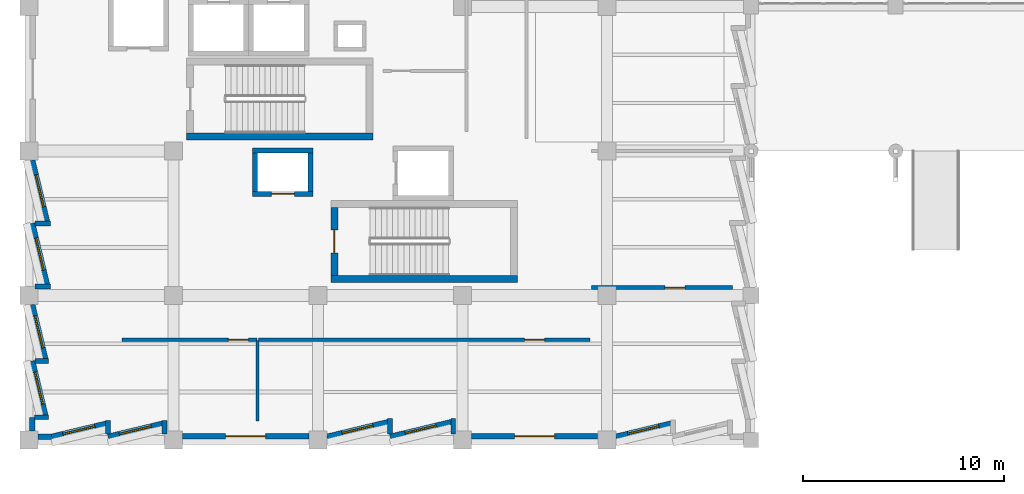
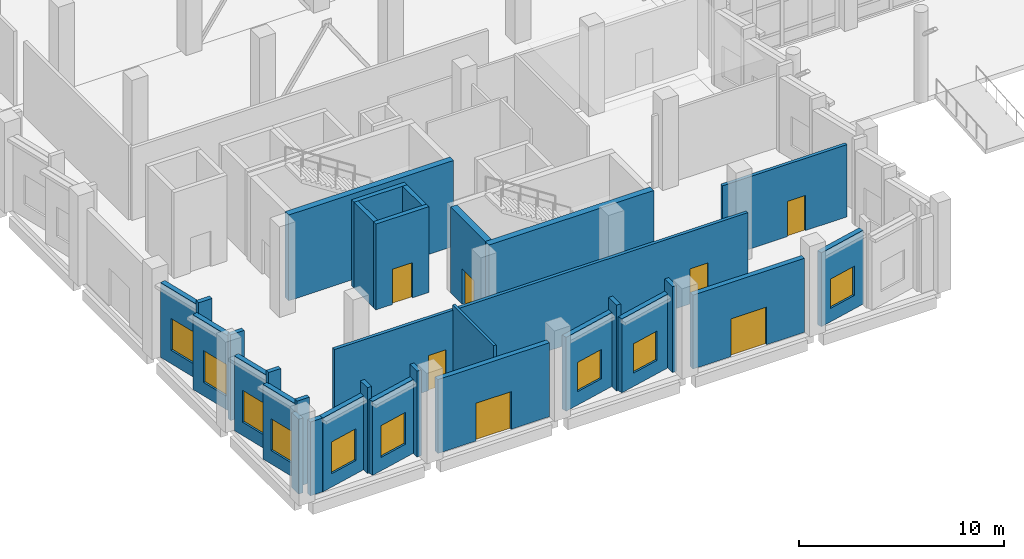
# One storey, part 102 of 137: 32 walls, 9 windows, 7 doors, 16 openings.
"""IFC4 building model written with IfcOpenShell, lengths in metres."""

from ifc_helpers import new_model, si_unit, direction, frame, frame_2d, origin, place, context, subcontext, project, spatial, rectangle, extrude, material, layer, layer_set, type_object, element, fill, save


model = new_model("IFC4")

# Units and contexts
model_context = context("Model", 3, precision=1e-05, world=origin(), true_north=direction((0.0, 1.0)))
body_context = subcontext(model_context, "Body", "Model", "MODEL_VIEW")
ifc_project = project(units=[si_unit("LENGTHUNIT", "METRE"), si_unit("AREAUNIT", "SQUARE_METRE"), si_unit("VOLUMEUNIT", "CUBIC_METRE"), si_unit("PLANEANGLEUNIT", "RADIAN"), si_unit("MASSUNIT", "GRAM", prefix="KILO")], contexts=[model_context])

# Site, building, storey
site_placement = place(None, origin())
site = spatial("IfcSite", under=ifc_project, at=site_placement, CompositionType="ELEMENT")
building_placement = place(site_placement, origin())
building = spatial("IfcBuilding", under=site, at=building_placement, Name="Kalmorath City Hall", CompositionType="ELEMENT")
storey_placement = place(building_placement, origin())
storey = spatial("IfcBuildingStorey", under=building, at=storey_placement, Name="L00", CompositionType="ELEMENT", Elevation=0.0)

# Walls
ifc_material_1 = material(Name="Concrete C50/60", Category="concrete")
ifc_layer_1 = layer(ifc_material_1, 0.35009765625)
ifc_layer_set_1 = layer_set([ifc_layer_1], Name="Concrete C50/60")
wall_type_1 = type_object("IfcWallType", Name="Concrete core shear wall 350", PredefinedType="SHEAR", material=ifc_layer_set_1)
wall_1_placement = place(storey_placement, frame((7.85009765625, 15.125, 0.0), z_axis=(0.0, 0.0, 1.0), x_axis=(1.0, 0.0, 0.0)))
element("IfcWall", 1, at=wall_1_placement, inside=storey, type_object=wall_type_1, Name="L00 C1 stair core shear wall S", PredefinedType="SHEAR", context=body_context, shape_type="SweptSolid", body=[
    extrude(rectangle(XDim=9.2998046875, YDim=0.35009765625, at=frame_2d((4.64990234375, 0.0))), origin(), (0.0, 0.0, 1.0), 5.1201171875),
])
wall_2_placement = place(storey_placement, frame((15.050048828125, 8.02490234375, 0.0), z_axis=(0.0, 0.0, 1.0), x_axis=(1.0, 0.0, 0.0)))
element("IfcWall", 2, at=wall_2_placement, inside=storey, type_object=wall_type_1, Name="L00 C2 stair core shear wall S", PredefinedType="SHEAR", context=body_context, shape_type="SweptSolid", body=[
    extrude(rectangle(XDim=9.300048828125, YDim=0.35009765625, at=frame_2d((4.64990234375, 0.0))), origin(), (0.0, 0.0, 1.0), 5.1201171875),
])

# Wall, opening, door
wall_3_placement = place(storey_placement, frame((15.22509765625, 11.60009765625, 0.0), z_axis=(0.0, 0.0, 1.0), x_axis=(0.0, -1.0, 0.0)))
wall_3 = element("IfcWall", 3, at=wall_3_placement, inside=storey, type_object=wall_type_1, Name="L00 C2 stair core shear wall W", PredefinedType="SHEAR", context=body_context, shape_type="SweptSolid", body=[
    extrude(rectangle(XDim=3.400146484375, YDim=0.35009765625, at=frame_2d((1.7001953125, 0.0))), origin(), (0.0, 0.0, 1.0), 5.1201171875),
])
opening_1_placement = place(wall_3_placement, frame((1.125, 0.0, 0.0)))
opening_1 = element("IfcOpeningElement", 4, at=opening_1_placement, cuts=wall_3, Name="Opening D-L00-038", PredefinedType="OPENING", context=body_context, shape_type="SweptSolid", body=[
    extrude(rectangle(XDim=1.14990234375, YDim=2.10009765625, at=frame_2d((0.574951171875, 1.050048828125))), frame((0.0, 0.18505859375, 0.0), z_axis=(0.0, -1.0, 0.0), x_axis=(1.0, 0.0, 0.0)), (0.0, 0.0, 1.0), 0.3701171875),
])
ifc_material_2 = material(Name="Galvanised steel fire door", Category="steel")
door_type_1 = type_object("IfcDoorType", Name="Stair enclosure 90-min fire door 1150x2100", OperationType="NOTDEFINED", PredefinedType="DOOR", material=ifc_material_2)
door_1_placement = place(opening_1_placement, frame((1.14990234375, 0.0, 0.0), z_axis=(0.0, 0.0, 1.0), x_axis=(-1.0, 0.0, 0.0)))
door_1 = element("IfcDoor", 5, at=door_1_placement, inside=storey, type_object=door_type_1, Name="L00 door D-L00-038", OperationType="SINGLE_SWING_RIGHT", OverallHeight=2.10009765625, OverallWidth=1.14990234375, PredefinedType="DOOR", context=body_context, shape_type="SweptSolid", body=[
    extrude(rectangle(XDim=1.14990234375, YDim=2.10009765625, at=frame_2d((0.574951171875, 1.050048828125))), frame((0.0, 0.02490234375, 0.0), z_axis=(0.0, -1.0, 0.0), x_axis=(1.0, 0.0, 0.0)), (0.0, 0.0, 1.0), 0.050048828125),
])
fill(opening_1, door_1)

ifc_material_3 = material(Name="Concrete C50/60", Category="concrete")
ifc_layer_2 = layer(ifc_material_3, 0.25)
ifc_layer_set_2 = layer_set([ifc_layer_2], Name="Concrete C50/60")
wall_type_2 = type_object("IfcWallType", Name="Concrete lift shaft wall 250", PredefinedType="SHEAR", material=ifc_layer_set_2)
wall_4_placement = place(storey_placement, frame((11.14990234375, 12.27490234375, 0.0), z_axis=(0.0, 0.0, 1.0), x_axis=(1.0, 0.0, 0.0)))
wall_4 = element("IfcWall", 6, at=wall_4_placement, inside=storey, type_object=wall_type_2, Name="L00 FL2 lift shaft wall -y", PredefinedType="SHEAR", context=body_context, shape_type="SweptSolid", body=[
    extrude(rectangle(XDim=3.0, YDim=0.25, at=frame_2d((1.5, 0.0))), origin(), (0.0, 0.0, 1.0), 5.1201171875),
])
opening_2_placement = place(wall_4_placement, frame((0.925048828125, 0.0, 0.0)))
opening_2 = element("IfcOpeningElement", 7, at=opening_2_placement, cuts=wall_4, Name="Opening LD-047", PredefinedType="OPENING", context=body_context, shape_type="SweptSolid", body=[
    extrude(rectangle(XDim=1.14990234375, YDim=2.10009765625, at=frame_2d((0.574951171875, 1.050048828125))), frame((0.0, 0.135009765625, 0.0), z_axis=(0.0, -1.0, 0.0), x_axis=(1.0, 0.0, 0.0)), (0.0, 0.0, 1.0), 0.27001953125),
])
ifc_material_4 = material(Name="Stainless steel sliding landing door", Category="steel")
door_type_2 = type_object("IfcDoorType", Name="Firefighting lift sliding landing door 1150x2100", OperationType="SLIDING_TO_RIGHT", PredefinedType="DOOR", material=ifc_material_4)
door_2_placement = place(opening_2_placement, origin())
door_2 = element("IfcDoor", 8, at=door_2_placement, inside=storey, type_object=door_type_2, Name="L00 door LD-047", OperationType="SLIDING_TO_RIGHT", OverallHeight=2.10009765625, OverallWidth=1.14990234375, PredefinedType="DOOR", context=body_context, shape_type="SweptSolid", body=[
    extrude(rectangle(XDim=1.14990234375, YDim=2.10009765625, at=frame_2d((0.574951171875, 1.050048828125))), frame((0.0, 0.02490234375, 0.0), z_axis=(0.0, -1.0, 0.0), x_axis=(1.0, 0.0, 0.0)), (0.0, 0.0, 1.0), 0.050048828125),
])
fill(opening_2, door_2)

# Walls
wall_5_placement = place(storey_placement, frame((14.14990234375, 14.425048828125, 0.0), z_axis=(0.0, 0.0, 1.0), x_axis=(-1.0, 0.0, 0.0)))
element("IfcWall", 9, at=wall_5_placement, inside=storey, type_object=wall_type_2, Name="L00 FL2 lift shaft wall +y", PredefinedType="SHEAR", context=body_context, shape_type="SweptSolid", body=[
    extrude(rectangle(XDim=3.0, YDim=0.25, at=frame_2d((1.5, 0.0))), origin(), (0.0, 0.0, 1.0), 5.1201171875),
])
for number, where, z_axis, x_axis, name in (
    (10, (11.27490234375, 14.300048828125, 0.0), (0.0, 0.0, 1.0), (0.0, -1.0, 0.0), "L00 FL2 lift shaft wall -x"),
    (11, (14.02490234375, 12.39990234375, 0.0), (0.0, 0.0, 1.0), (0.0, 1.0, 0.0), "L00 FL2 lift shaft wall +x"),
):
    element("IfcWall", number, at=place(storey_placement, frame(where, z_axis=z_axis, x_axis=x_axis)), inside=storey, type_object=wall_type_2, Name=name, PredefinedType="SHEAR", context=body_context, shape_type="SweptSolid", body=[
        extrude(rectangle(XDim=1.900146484375, YDim=0.25, at=frame_2d((0.9501953125, 0.0))), origin(), (0.0, 0.0, 1.0), 5.1201171875),
    ])
ifc_material_5 = material(Name="Acoustic metal-stud gypsum partition")
ifc_layer_3 = layer(ifc_material_5, 0.14990234375)
ifc_layer_set_3 = layer_set([ifc_layer_3], Name="Acoustic metal-stud gypsum partition")
wall_type_3 = type_object("IfcWallType", Name="Departmental suite partition 150", PredefinedType="PARTITIONING", material=ifc_layer_set_3)
wall_6_placement = place(storey_placement, frame((11.39990234375, 0.93994140625, 0.0), z_axis=(0.0, 0.0, 1.0), x_axis=(0.0, 1.0, 0.0)))
element("IfcWall", 12, at=wall_6_placement, inside=storey, type_object=wall_type_3, Name="L00 interior partition PW4 #47", PredefinedType="PARTITIONING", context=body_context, shape_type="SweptSolid", body=[
    extrude(rectangle(XDim=4.02001953125, YDim=0.14990234375, at=frame_2d((2.010009765625, 0.0))), origin(), (0.0, 0.0, 1.0), 4.60595703125),
])

# Wall, opening, door
ifc_material_6 = material(Name="Fire-rated acoustic gypsum partition")
ifc_layer_4 = layer(ifc_material_6, 0.179931640625)
ifc_layer_set_4 = layer_set([ifc_layer_4], Name="Fire-rated acoustic gypsum partition")
wall_type_4 = type_object("IfcWallType", Name="One-hour corridor fire partition 180", PredefinedType="PARTITIONING", material=ifc_layer_set_4)
wall_7_placement = place(storey_placement, frame((4.639892578125, 5.0, 0.0), z_axis=(0.0, 0.0, 1.0), x_axis=(1.0, 0.0, 0.0)))
wall_7 = element("IfcWall", 13, at=wall_7_placement, inside=storey, type_object=wall_type_4, Name="L00 interior partition PW2 #28", PredefinedType="PARTITIONING", context=body_context, shape_type="SweptSolid", body=[
    extrude(rectangle(XDim=6.72021484375, YDim=0.179931640625, at=frame_2d((3.360107421875, 0.0))), origin(), (0.0, 0.0, 1.0), 4.31103515625),
])
opening_3_placement = place(wall_7_placement, frame((5.300048828125, 0.0, 0.0)))
opening_3 = element("IfcOpeningElement", 14, at=opening_3_placement, cuts=wall_7, Name="Opening D-L00-122", PredefinedType="OPENING", context=body_context, shape_type="SweptSolid", body=[
    extrude(rectangle(XDim=1.0, YDim=2.10009765625, at=frame_2d((0.5, 1.050048828125))), frame((0.0, 0.099853515625, 0.0), z_axis=(0.0, -1.0, 0.0), x_axis=(1.0, 0.0, 0.0)), (0.0, 0.0, 1.0), 0.199951171875),
])
ifc_material_7 = material(Name="Hardwood fire door", Category="wood")
door_type_3 = type_object("IfcDoorType", Name="Corridor 60-min fire door 1000x2100", OperationType="NOTDEFINED", PredefinedType="DOOR", material=ifc_material_7)
door_3_placement = place(opening_3_placement, origin())
door_3 = element("IfcDoor", 15, at=door_3_placement, inside=storey, type_object=door_type_3, Name="L00 door D-L00-122", OperationType="SINGLE_SWING_RIGHT", OverallHeight=2.10009765625, OverallWidth=1.0, PredefinedType="DOOR", context=body_context, shape_type="SweptSolid", body=[
    extrude(rectangle(XDim=1.0, YDim=2.10009765625, at=frame_2d((0.5, 1.050048828125))), frame((0.0, 0.02490234375, 0.0), z_axis=(0.0, -1.0, 0.0), x_axis=(1.0, 0.0, 0.0)), (0.0, 0.0, 1.0), 0.050048828125),
])
fill(opening_3, door_3)

wall_8_placement = place(storey_placement, frame((11.43994140625, 5.0, 0.0), z_axis=(0.0, 0.0, 1.0), x_axis=(1.0, 0.0, 0.0)))
wall_8 = element("IfcWall", 16, at=wall_8_placement, inside=storey, type_object=wall_type_4, Name="L00 interior partition PW2 #29", PredefinedType="PARTITIONING", context=body_context, shape_type="SweptSolid", body=[
    extrude(rectangle(XDim=16.52001953125, YDim=0.179931640625, at=frame_2d((8.260009765625, 0.0))), origin(), (0.0, 0.0, 1.0), 4.31103515625),
])
opening_4_placement = place(wall_8_placement, frame((13.264892578125, 0.0, 0.0)))
opening_4 = element("IfcOpeningElement", 17, at=opening_4_placement, cuts=wall_8, Name="Opening D-L00-123", PredefinedType="OPENING", context=body_context, shape_type="SweptSolid", body=[
    extrude(rectangle(XDim=1.0, YDim=2.10009765625, at=frame_2d((0.5, 1.050048828125))), frame((0.0, 0.099853515625, 0.0), z_axis=(0.0, -1.0, 0.0), x_axis=(1.0, 0.0, 0.0)), (0.0, 0.0, 1.0), 0.199951171875),
])
door_4_placement = place(opening_4_placement, origin())
door_4 = element("IfcDoor", 18, at=door_4_placement, inside=storey, type_object=door_type_3, Name="L00 door D-L00-123", OperationType="SINGLE_SWING_LEFT", OverallHeight=2.10009765625, OverallWidth=1.0, PredefinedType="DOOR", context=body_context, shape_type="SweptSolid", body=[
    extrude(rectangle(XDim=1.0, YDim=2.10009765625, at=frame_2d((0.5, 1.050048828125))), frame((0.0, 0.02490234375, 0.0), z_axis=(0.0, -1.0, 0.0), x_axis=(1.0, 0.0, 0.0)), (0.0, 0.0, 1.0), 0.050048828125),
])
fill(opening_4, door_4)

wall_9_placement = place(storey_placement, frame((28.0400390625, 7.60009765625, 0.0), z_axis=(0.0, 0.0, 1.0), x_axis=(1.0, 0.0, 0.0)))
wall_9 = element("IfcWall", 19, at=wall_9_placement, inside=storey, type_object=wall_type_4, Name="L00 interior partition PW2 #30", PredefinedType="PARTITIONING", context=body_context, shape_type="SweptSolid", body=[
    extrude(rectangle(XDim=7.02001953125, YDim=0.179931640625, at=frame_2d((3.510009765625, 0.0))), origin(), (0.0, 0.0, 1.0), 4.31103515625),
])
opening_5_placement = place(wall_9_placement, frame((3.657470703125, 0.0, 0.0)))
opening_5 = element("IfcOpeningElement", 20, at=opening_5_placement, cuts=wall_9, Name="Opening D-L00-124", PredefinedType="OPENING", context=body_context, shape_type="SweptSolid", body=[
    extrude(rectangle(XDim=1.0, YDim=2.10009765625, at=frame_2d((0.5, 1.050048828125))), frame((0.0, 0.099853515625, 0.0), z_axis=(0.0, -1.0, 0.0), x_axis=(1.0, 0.0, 0.0)), (0.0, 0.0, 1.0), 0.199951171875),
])
door_5_placement = place(opening_5_placement, origin())
door_5 = element("IfcDoor", 21, at=door_5_placement, inside=storey, type_object=door_type_3, Name="L00 door D-L00-124", OperationType="SINGLE_SWING_RIGHT", OverallHeight=2.10009765625, OverallWidth=1.0, PredefinedType="DOOR", context=body_context, shape_type="SweptSolid", body=[
    extrude(rectangle(XDim=1.0, YDim=2.10009765625, at=frame_2d((0.5, 1.050048828125))), frame((0.0, 0.02490234375, 0.0), z_axis=(0.0, -1.0, 0.0), x_axis=(1.0, 0.0, 0.0)), (0.0, 0.0, 1.0), 0.050048828125),
])
fill(opening_5, door_5)

# Walls
ifc_material_8 = material(Name="Precast concrete C40/50", Category="concrete")
ifc_layer_5 = layer(ifc_material_8, 0.239990234375)
ifc_layer_set_5 = layer_set([ifc_layer_5], Name="Precast concrete C40/50")
wall_type_5 = type_object("IfcWallType", Name="Precast sawtooth cheek wall 240", PredefinedType="SOLIDWALL", material=ifc_layer_set_5)
wall_10_placement = place(storey_placement, frame((0.9794921875, 1.131103515625, 0.0), z_axis=(0.0, 0.0, 1.0), x_axis=(-1.0, 0.0, 0.0)))
element("IfcWall", 22, at=wall_10_placement, inside=storey, type_object=wall_type_5, Name="L00 sawtooth return cheek #3", PredefinedType="SOLIDWALL", context=body_context, shape_type="SweptSolid", body=[
    extrude(rectangle(XDim=0.697509765625, YDim=0.239990234375, at=frame_2d((0.3486328125, 0.0))), origin(), (0.0, 0.0, 1.0), 5.1201171875),
])
wall_11_placement = place(storey_placement, frame((0.9794921875, 3.93994140625, 0.0), z_axis=(0.0, 0.0, 1.0), x_axis=(-1.0, 0.0, 0.0)))
element("IfcWall", 23, at=wall_11_placement, inside=storey, type_object=wall_type_5, Name="L00 sawtooth return cheek #5", PredefinedType="SOLIDWALL", context=body_context, shape_type="SweptSolid", body=[
    extrude(rectangle(XDim=0.6875, YDim=0.239990234375, at=frame_2d((0.34375, 0.0))), origin(), (0.0, 0.0, 1.0), 5.1201171875),
])
for number, where, z_axis, x_axis, name in (
    (24, (1.06103515625, 7.65087890625, 0.0), (0.0, 0.0, 1.0), (-1.0, 0.0, 0.0), "L00 sawtooth return cheek #7"),
    (25, (1.06103515625, 10.800048828125, 0.0), (0.0, 0.0, 1.0), (-1.0, 0.0, 0.0), "L00 sawtooth return cheek #9"),
    (26, (21.14892578125, 1.06103515625, 0.0), (0.0, 0.0, 1.0), (0.0, -1.0, 0.0), "L00 sawtooth return cheek #126"),
    (27, (18.0, 1.06103515625, 0.0), (0.0, 0.0, 1.0), (0.0, -1.0, 0.0), "L00 sawtooth return cheek #128"),
):
    element("IfcWall", number, at=place(storey_placement, frame(where, z_axis=z_axis, x_axis=x_axis)), inside=storey, type_object=wall_type_5, Name=name, PredefinedType="SOLIDWALL", context=body_context, shape_type="SweptSolid", body=[
        extrude(rectangle(XDim=0.76904296875, YDim=0.239990234375, at=frame_2d((0.384521484375, 0.0))), origin(), (0.0, 0.0, 1.0), 5.1201171875),
    ])
for number, where, z_axis, x_axis, name in (
    (28, (6.7490234375, 0.9794921875, 0.0), (0.0, 0.0, 1.0), (0.0, -1.0, 0.0), "L00 sawtooth return cheek #132"),
    (29, (3.93994140625, 0.9794921875, 0.0), (0.0, 0.0, 1.0), (0.0, -1.0, 0.0), "L00 sawtooth return cheek #134"),
):
    element("IfcWall", number, at=place(storey_placement, frame(where, z_axis=z_axis, x_axis=x_axis)), inside=storey, type_object=wall_type_5, Name=name, PredefinedType="SOLIDWALL", context=body_context, shape_type="SweptSolid", body=[
        extrude(rectangle(XDim=0.6875, YDim=0.239990234375, at=frame_2d((0.34375, 0.0))), origin(), (0.0, 0.0, 1.0), 5.1201171875),
    ])

# Wall, opening, window
ifc_material_9 = material(Name="Precast concrete C40/50", Category="concrete")
ifc_layer_6 = layer(ifc_material_9, 0.280029296875)
ifc_layer_set_6 = layer_set([ifc_layer_6], Name="Precast concrete C40/50")
wall_type_6 = type_object("IfcWallType", Name="Precast sawtooth facade wall 280", PredefinedType="SOLIDWALL", material=ifc_layer_set_6)
wall_12_placement = place(storey_placement, frame((0.812255859375, 1.223388671875, 0.0), z_axis=(0.0, 0.0, 1.0), x_axis=(-0.233498544812, 0.972357151242, 0.0)))
wall_12 = element("IfcWall", 30, at=wall_12_placement, inside=storey, type_object=wall_type_6, Name="L00 sawtooth precast frame #2", PredefinedType="SOLIDWALL", context=body_context, shape_type="SweptSolid", body=[
    extrude(rectangle(XDim=2.793701171875, YDim=0.280029296875, at=frame_2d((1.39697265625, 0.0))), origin(), (0.0, 0.0, 1.0), 4.4609375),
])
opening_6_placement = place(wall_12_placement, frame((0.572021484375, 0.0, 0.800048828125)))
opening_6 = element("IfcOpeningElement", 31, at=opening_6_placement, cuts=wall_12, Name="Opening WN2", PredefinedType="OPENING", context=body_context, shape_type="SweptSolid", body=[
    extrude(rectangle(XDim=1.64990234375, YDim=1.89990234375, at=frame_2d((0.824951171875, 0.949951171875))), frame((0.0, 0.14990234375, 0.0), z_axis=(0.0, -1.0, 0.0), x_axis=(1.0, 0.0, 0.0)), (0.0, 0.0, 1.0), 0.300048828125),
])
ifc_material_10 = material(Name="Aluminium and laminated glass", Category="aluminium")
window_type_1 = type_object("IfcWindowType", Name="Sawtooth hurricane window 1650x1900", PartitioningType="SINGLE_PANEL", PredefinedType="WINDOW", material=ifc_material_10)
window_1_placement = place(opening_6_placement, origin())
window_1 = element("IfcWindow", 32, at=window_1_placement, inside=storey, type_object=window_type_1, Name="L00 window WN2-1", OverallHeight=1.89990234375, OverallWidth=1.64990234375, PartitioningType="SINGLE_PANEL", PredefinedType="WINDOW", context=body_context, shape_type="SweptSolid", body=[
    extrude(rectangle(XDim=1.64990234375, YDim=1.89990234375, at=frame_2d((0.824951171875, 0.949951171875))), frame((0.0, 0.030029296875, 0.0), z_axis=(0.0, -1.0, 0.0), x_axis=(1.0, 0.0, 0.0)), (0.0, 0.0, 1.0), 0.06005859375),
])
fill(opening_6, window_1)

wall_13_placement = place(storey_placement, frame((0.812255859375, 4.032470703125, 0.0), z_axis=(0.0, 0.0, 1.0), x_axis=(-0.233498544812, 0.972357151242, 0.0)))
wall_13 = element("IfcWall", 33, at=wall_13_placement, inside=storey, type_object=wall_type_6, Name="L00 sawtooth precast frame #4", PredefinedType="SOLIDWALL", context=body_context, shape_type="SweptSolid", body=[
    extrude(rectangle(XDim=2.793701171875, YDim=0.280029296875, at=frame_2d((1.39697265625, 0.0))), origin(), (0.0, 0.0, 1.0), 4.4609375),
])
opening_7_placement = place(wall_13_placement, frame((0.572021484375, 0.0, 0.800048828125)))
opening_7 = element("IfcOpeningElement", 34, at=opening_7_placement, cuts=wall_13, Name="Opening WN2", PredefinedType="OPENING", context=body_context, shape_type="SweptSolid", body=[
    extrude(rectangle(XDim=1.64990234375, YDim=1.89990234375, at=frame_2d((0.824951171875, 0.949951171875))), frame((0.0, 0.14990234375, 0.0), z_axis=(0.0, -1.0, 0.0), x_axis=(1.0, 0.0, 0.0)), (0.0, 0.0, 1.0), 0.300048828125),
])
window_2_placement = place(opening_7_placement, origin())
window_2 = element("IfcWindow", 35, at=window_2_placement, inside=storey, type_object=window_type_1, Name="L00 window WN2-2", OverallHeight=1.89990234375, OverallWidth=1.64990234375, PartitioningType="SINGLE_PANEL", PredefinedType="WINDOW", context=body_context, shape_type="SweptSolid", body=[
    extrude(rectangle(XDim=1.64990234375, YDim=1.89990234375, at=frame_2d((0.824951171875, 0.949951171875))), frame((0.0, 0.030029296875, 0.0), z_axis=(0.0, -1.0, 0.0), x_axis=(1.0, 0.0, 0.0)), (0.0, 0.0, 1.0), 0.06005859375),
])
fill(opening_7, window_2)

wall_14_placement = place(storey_placement, frame((0.893798828125, 7.743408203125, 0.0), z_axis=(0.0, 0.0, 1.0), x_axis=(-0.233461073712, 0.972366148661, 0.0)))
wall_14 = element("IfcWall", 36, at=wall_14_placement, inside=storey, type_object=wall_type_6, Name="L00 sawtooth precast frame #6", PredefinedType="SOLIDWALL", context=body_context, shape_type="SweptSolid", body=[
    extrude(rectangle(XDim=3.1435546875, YDim=0.280029296875, at=frame_2d((1.57177734375, 0.0))), origin(), (0.0, 0.0, 1.0), 4.4609375),
])
opening_8_placement = place(wall_14_placement, frame((0.74658203125, 0.0, 0.800048828125)))
opening_8 = element("IfcOpeningElement", 37, at=opening_8_placement, cuts=wall_14, Name="Opening WN2", PredefinedType="OPENING", context=body_context, shape_type="SweptSolid", body=[
    extrude(rectangle(XDim=1.64990234375, YDim=1.89990234375, at=frame_2d((0.824951171875, 0.949951171875))), frame((0.0, 0.14990234375, 0.0), z_axis=(0.0, -1.0, 0.0), x_axis=(1.0, 0.0, 0.0)), (0.0, 0.0, 1.0), 0.300048828125),
])
window_3_placement = place(opening_8_placement, origin())
window_3 = element("IfcWindow", 38, at=window_3_placement, inside=storey, type_object=window_type_1, Name="L00 window WN2-3", OverallHeight=1.89990234375, OverallWidth=1.64990234375, PartitioningType="SINGLE_PANEL", PredefinedType="WINDOW", context=body_context, shape_type="SweptSolid", body=[
    extrude(rectangle(XDim=1.64990234375, YDim=1.89990234375, at=frame_2d((0.824951171875, 0.949951171875))), frame((0.0, 0.030029296875, 0.0), z_axis=(0.0, -1.0, 0.0), x_axis=(1.0, 0.0, 0.0)), (0.0, 0.0, 1.0), 0.06005859375),
])
fill(opening_8, window_3)

wall_15_placement = place(storey_placement, frame((0.893798828125, 10.892333984375, 0.0), z_axis=(0.0, 0.0, 1.0), x_axis=(-0.233461073712, 0.972366148661, 0.0)))
wall_15 = element("IfcWall", 39, at=wall_15_placement, inside=storey, type_object=wall_type_6, Name="L00 sawtooth precast frame #8", PredefinedType="SOLIDWALL", context=body_context, shape_type="SweptSolid", body=[
    extrude(rectangle(XDim=3.1435546875, YDim=0.280029296875, at=frame_2d((1.57177734375, 0.0))), origin(), (0.0, 0.0, 1.0), 4.4609375),
])
opening_9_placement = place(wall_15_placement, frame((0.74658203125, 0.0, 0.800048828125)))
opening_9 = element("IfcOpeningElement", 40, at=opening_9_placement, cuts=wall_15, Name="Opening WN2", PredefinedType="OPENING", context=body_context, shape_type="SweptSolid", body=[
    extrude(rectangle(XDim=1.64990234375, YDim=1.89990234375, at=frame_2d((0.824951171875, 0.949951171875))), frame((0.0, 0.14990234375, 0.0), z_axis=(0.0, -1.0, 0.0), x_axis=(1.0, 0.0, 0.0)), (0.0, 0.0, 1.0), 0.300048828125),
])
window_4_placement = place(opening_9_placement, origin())
window_4 = element("IfcWindow", 41, at=window_4_placement, inside=storey, type_object=window_type_1, Name="L00 window WN2-4", OverallHeight=1.89990234375, OverallWidth=1.64990234375, PartitioningType="SINGLE_PANEL", PredefinedType="WINDOW", context=body_context, shape_type="SweptSolid", body=[
    extrude(rectangle(XDim=1.64990234375, YDim=1.89990234375, at=frame_2d((0.824951171875, 0.949951171875))), frame((0.0, 0.030029296875, 0.0), z_axis=(0.0, -1.0, 0.0), x_axis=(1.0, 0.0, 0.0)), (0.0, 0.0, 1.0), 0.06005859375),
])
fill(opening_9, window_4)

wall_16_placement = place(storey_placement, frame((32.005126953125, 0.8212890625, 0.0), z_axis=(0.0, 0.0, 1.0), x_axis=(-0.972356780139, -0.233500090187, 0.0)))
wall_16 = element("IfcWall", 42, at=wall_16_placement, inside=storey, type_object=wall_type_6, Name="L00 sawtooth precast frame #122", PredefinedType="SOLIDWALL", context=body_context, shape_type="SweptSolid", body=[
    extrude(rectangle(XDim=2.83251953125, YDim=0.280029296875, at=frame_2d((1.416259765625, 0.0))), origin(), (0.0, 0.0, 1.0), 4.410888671875),
])
opening_10_placement = place(wall_16_placement, frame((0.6162109375, 0.0, 0.800048828125)))
opening_10 = element("IfcOpeningElement", 43, at=opening_10_placement, cuts=wall_16, Name="Opening WN3", PredefinedType="OPENING", context=body_context, shape_type="SweptSolid", body=[
    extrude(rectangle(XDim=1.60009765625, YDim=1.75, at=frame_2d((0.800048828125, 0.875))), frame((0.0, 0.14990234375, 0.0), z_axis=(0.0, -1.0, 0.0), x_axis=(1.0, 0.0, 0.0)), (0.0, 0.0, 1.0), 0.300048828125),
])
ifc_material_11 = material(Name="Aluminium and laminated glass", Category="aluminium")
window_type_2 = type_object("IfcWindowType", Name="Sawtooth upper window 1600x1750", PartitioningType="SINGLE_PANEL", PredefinedType="WINDOW", material=ifc_material_11)
window_5_placement = place(opening_10_placement, origin())
window_5 = element("IfcWindow", 44, at=window_5_placement, inside=storey, type_object=window_type_2, Name="L00 window WN3-56", OverallHeight=1.75, OverallWidth=1.60009765625, PartitioningType="SINGLE_PANEL", PredefinedType="WINDOW", context=body_context, shape_type="SweptSolid", body=[
    extrude(rectangle(XDim=1.60009765625, YDim=1.75, at=frame_2d((0.800048828125, 0.875))), frame((0.0, 0.030029296875, 0.0), z_axis=(0.0, -1.0, 0.0), x_axis=(1.0, 0.0, 0.0)), (0.0, 0.0, 1.0), 0.06005859375),
])
fill(opening_10, window_5)

# Wall, opening, door
wall_17_placement = place(storey_placement, frame((28.34912109375, 0.179931640625, 0.0), z_axis=(0.0, 0.0, 1.0), x_axis=(-1.0, 0.0, 0.0)))
wall_17 = element("IfcWall", 45, at=wall_17_placement, inside=storey, type_object=wall_type_6, Name="L00 entrance portal wall #124", PredefinedType="SOLIDWALL", context=body_context, shape_type="SweptSolid", body=[
    extrude(rectangle(XDim=6.298095703125, YDim=0.280029296875, at=frame_2d((3.14892578125, 0.0))), origin(), (0.0, 0.0, 1.0), 4.410888671875),
])
opening_11_placement = place(wall_17_placement, frame((2.14892578125, 0.0, 0.0)))
opening_11 = element("IfcOpeningElement", 46, at=opening_11_placement, cuts=wall_17, Name="Opening D-E019", PredefinedType="OPENING", context=body_context, shape_type="SweptSolid", body=[
    extrude(rectangle(XDim=2.0, YDim=2.25, at=frame_2d((1.0, 1.125))), frame((0.0, 0.14990234375, 0.0), z_axis=(0.0, -1.0, 0.0), x_axis=(1.0, 0.0, 0.0)), (0.0, 0.0, 1.0), 0.300048828125),
])
ifc_material_12 = material(Name="Galvanised steel and impact glass", Category="steel")
door_type_4 = type_object("IfcDoorType", Name="Hurricane exit discharge double door 2000x2250", OperationType="DOUBLE_DOOR_SINGLE_SWING", PredefinedType="DOOR", material=ifc_material_12)
door_6_placement = place(opening_11_placement, origin())
door_6 = element("IfcDoor", 47, at=door_6_placement, inside=storey, type_object=door_type_4, Name="L00 exterior door D-E019", OperationType="DOUBLE_DOOR_SINGLE_SWING", OverallHeight=2.25, OverallWidth=2.0, PredefinedType="DOOR", context=body_context, shape_type="SweptSolid", body=[
    extrude(rectangle(XDim=2.0, YDim=2.25, at=frame_2d((1.0, 1.125))), frame((0.0, 0.02490234375, 0.0), z_axis=(0.0, -1.0, 0.0), x_axis=(1.0, 0.0, 0.0)), (0.0, 0.0, 1.0), 0.050048828125),
])
fill(opening_11, door_6)

# Wall, opening, window
wall_18_placement = place(storey_placement, frame((21.056640625, 0.893798828125, 0.0), z_axis=(0.0, 0.0, 1.0), x_axis=(-0.972366148661, -0.233461073712, 0.0)))
wall_18 = element("IfcWall", 48, at=wall_18_placement, inside=storey, type_object=wall_type_6, Name="L00 sawtooth precast frame #125", PredefinedType="SOLIDWALL", context=body_context, shape_type="SweptSolid", body=[
    extrude(rectangle(XDim=3.1435546875, YDim=0.280029296875, at=frame_2d((1.57177734375, 0.0))), origin(), (0.0, 0.0, 1.0), 4.410888671875),
])
opening_12_placement = place(wall_18_placement, frame((0.771728515625, 0.0, 0.800048828125)))
opening_12 = element("IfcOpeningElement", 49, at=opening_12_placement, cuts=wall_18, Name="Opening WN3", PredefinedType="OPENING", context=body_context, shape_type="SweptSolid", body=[
    extrude(rectangle(XDim=1.60009765625, YDim=1.75, at=frame_2d((0.800048828125, 0.875))), frame((0.0, 0.14990234375, 0.0), z_axis=(0.0, -1.0, 0.0), x_axis=(1.0, 0.0, 0.0)), (0.0, 0.0, 1.0), 0.300048828125),
])
window_6_placement = place(opening_12_placement, origin())
window_6 = element("IfcWindow", 50, at=window_6_placement, inside=storey, type_object=window_type_2, Name="L00 window WN3-57", OverallHeight=1.75, OverallWidth=1.60009765625, PartitioningType="SINGLE_PANEL", PredefinedType="WINDOW", context=body_context, shape_type="SweptSolid", body=[
    extrude(rectangle(XDim=1.60009765625, YDim=1.75, at=frame_2d((0.800048828125, 0.875))), frame((0.0, 0.030029296875, 0.0), z_axis=(0.0, -1.0, 0.0), x_axis=(1.0, 0.0, 0.0)), (0.0, 0.0, 1.0), 0.06005859375),
])
fill(opening_12, window_6)

wall_19_placement = place(storey_placement, frame((17.90771484375, 0.893798828125, 0.0), z_axis=(0.0, 0.0, 1.0), x_axis=(-0.972366148661, -0.233461073712, 0.0)))
wall_19 = element("IfcWall", 51, at=wall_19_placement, inside=storey, type_object=wall_type_6, Name="L00 sawtooth precast frame #127", PredefinedType="SOLIDWALL", context=body_context, shape_type="SweptSolid", body=[
    extrude(rectangle(XDim=3.1435546875, YDim=0.280029296875, at=frame_2d((1.57177734375, 0.0))), origin(), (0.0, 0.0, 1.0), 4.410888671875),
])
opening_13_placement = place(wall_19_placement, frame((0.771728515625, 0.0, 0.800048828125)))
opening_13 = element("IfcOpeningElement", 52, at=opening_13_placement, cuts=wall_19, Name="Opening WN3", PredefinedType="OPENING", context=body_context, shape_type="SweptSolid", body=[
    extrude(rectangle(XDim=1.60009765625, YDim=1.75, at=frame_2d((0.800048828125, 0.875))), frame((0.0, 0.14990234375, 0.0), z_axis=(0.0, -1.0, 0.0), x_axis=(1.0, 0.0, 0.0)), (0.0, 0.0, 1.0), 0.300048828125),
])
window_7_placement = place(opening_13_placement, origin())
window_7 = element("IfcWindow", 53, at=window_7_placement, inside=storey, type_object=window_type_2, Name="L00 window WN3-58", OverallHeight=1.75, OverallWidth=1.60009765625, PartitioningType="SINGLE_PANEL", PredefinedType="WINDOW", context=body_context, shape_type="SweptSolid", body=[
    extrude(rectangle(XDim=1.60009765625, YDim=1.75, at=frame_2d((0.800048828125, 0.875))), frame((0.0, 0.030029296875, 0.0), z_axis=(0.0, -1.0, 0.0), x_axis=(1.0, 0.0, 0.0)), (0.0, 0.0, 1.0), 0.06005859375),
])
fill(opening_13, window_7)

# Wall, opening, door
wall_20_placement = place(storey_placement, frame((13.948974609375, 0.179931640625, 0.0), z_axis=(0.0, 0.0, 1.0), x_axis=(-1.0, 0.0, 0.0)))
wall_20 = element("IfcWall", 54, at=wall_20_placement, inside=storey, type_object=wall_type_6, Name="L00 entrance portal wall #129", PredefinedType="SOLIDWALL", context=body_context, shape_type="SweptSolid", body=[
    extrude(rectangle(XDim=6.298095703125, YDim=0.280029296875, at=frame_2d((3.14892578125, 0.0))), origin(), (0.0, 0.0, 1.0), 4.410888671875),
])
opening_14_placement = place(wall_20_placement, frame((2.14892578125, 0.0, 0.0)))
opening_14 = element("IfcOpeningElement", 55, at=opening_14_placement, cuts=wall_20, Name="Opening D-E020", PredefinedType="OPENING", context=body_context, shape_type="SweptSolid", body=[
    extrude(rectangle(XDim=2.0, YDim=2.25, at=frame_2d((1.0, 1.125))), frame((0.0, 0.14990234375, 0.0), z_axis=(0.0, -1.0, 0.0), x_axis=(1.0, 0.0, 0.0)), (0.0, 0.0, 1.0), 0.300048828125),
])
door_7_placement = place(opening_14_placement, origin())
door_7 = element("IfcDoor", 56, at=door_7_placement, inside=storey, type_object=door_type_4, Name="L00 exterior door D-E020", OperationType="DOUBLE_DOOR_SINGLE_SWING", OverallHeight=2.25, OverallWidth=2.0, PredefinedType="DOOR", context=body_context, shape_type="SweptSolid", body=[
    extrude(rectangle(XDim=2.0, YDim=2.25, at=frame_2d((1.0, 1.125))), frame((0.0, 0.02490234375, 0.0), z_axis=(0.0, -1.0, 0.0), x_axis=(1.0, 0.0, 0.0)), (0.0, 0.0, 1.0), 0.050048828125),
])
fill(opening_14, door_7)

# Wall, opening, window
wall_21_placement = place(storey_placement, frame((6.656494140625, 0.812255859375, 0.0), z_axis=(0.0, 0.0, 1.0), x_axis=(-0.972357151242, -0.233498544812, 0.0)))
wall_21 = element("IfcWall", 57, at=wall_21_placement, inside=storey, type_object=wall_type_6, Name="L00 sawtooth precast frame #131", PredefinedType="SOLIDWALL", context=body_context, shape_type="SweptSolid", body=[
    extrude(rectangle(XDim=2.793701171875, YDim=0.280029296875, at=frame_2d((1.39697265625, 0.0))), origin(), (0.0, 0.0, 1.0), 4.410888671875),
])
opening_15_placement = place(wall_21_placement, frame((0.572021484375, 0.0, 0.800048828125)))
opening_15 = element("IfcOpeningElement", 58, at=opening_15_placement, cuts=wall_21, Name="Opening WN2", PredefinedType="OPENING", context=body_context, shape_type="SweptSolid", body=[
    extrude(rectangle(XDim=1.64990234375, YDim=1.89990234375, at=frame_2d((0.824951171875, 0.949951171875))), frame((0.0, 0.14990234375, 0.0), z_axis=(0.0, -1.0, 0.0), x_axis=(1.0, 0.0, 0.0)), (0.0, 0.0, 1.0), 0.300048828125),
])
window_8_placement = place(opening_15_placement, origin())
window_8 = element("IfcWindow", 59, at=window_8_placement, inside=storey, type_object=window_type_1, Name="L00 window WN2-59", OverallHeight=1.89990234375, OverallWidth=1.64990234375, PartitioningType="SINGLE_PANEL", PredefinedType="WINDOW", context=body_context, shape_type="SweptSolid", body=[
    extrude(rectangle(XDim=1.64990234375, YDim=1.89990234375, at=frame_2d((0.824951171875, 0.949951171875))), frame((0.0, 0.030029296875, 0.0), z_axis=(0.0, -1.0, 0.0), x_axis=(1.0, 0.0, 0.0)), (0.0, 0.0, 1.0), 0.06005859375),
])
fill(opening_15, window_8)

wall_22_placement = place(storey_placement, frame((3.84765625, 0.812255859375, 0.0), z_axis=(0.0, 0.0, 1.0), x_axis=(-0.972357151242, -0.233498544812, 0.0)))
wall_22 = element("IfcWall", 60, at=wall_22_placement, inside=storey, type_object=wall_type_6, Name="L00 sawtooth precast frame #133", PredefinedType="SOLIDWALL", context=body_context, shape_type="SweptSolid", body=[
    extrude(rectangle(XDim=2.793701171875, YDim=0.280029296875, at=frame_2d((1.39697265625, 0.0))), origin(), (0.0, 0.0, 1.0), 4.410888671875),
])
opening_16_placement = place(wall_22_placement, frame((0.572021484375, 0.0, 0.800048828125)))
opening_16 = element("IfcOpeningElement", 61, at=opening_16_placement, cuts=wall_22, Name="Opening WN2", PredefinedType="OPENING", context=body_context, shape_type="SweptSolid", body=[
    extrude(rectangle(XDim=1.64990234375, YDim=1.89990234375, at=frame_2d((0.824951171875, 0.949951171875))), frame((0.0, 0.14990234375, 0.0), z_axis=(0.0, -1.0, 0.0), x_axis=(1.0, 0.0, 0.0)), (0.0, 0.0, 1.0), 0.300048828125),
])
window_9_placement = place(opening_16_placement, origin())
window_9 = element("IfcWindow", 62, at=window_9_placement, inside=storey, type_object=window_type_1, Name="L00 window WN2-60", OverallHeight=1.89990234375, OverallWidth=1.64990234375, PartitioningType="SINGLE_PANEL", PredefinedType="WINDOW", context=body_context, shape_type="SweptSolid", body=[
    extrude(rectangle(XDim=1.64990234375, YDim=1.89990234375, at=frame_2d((0.824951171875, 0.949951171875))), frame((0.0, 0.030029296875, 0.0), z_axis=(0.0, -1.0, 0.0), x_axis=(1.0, 0.0, 0.0)), (0.0, 0.0, 1.0), 0.06005859375),
])
fill(opening_16, window_9)

# Walls
ifc_material_13 = material(Name="Precast concrete C40/50", Category="concrete")
ifc_layer_7 = layer(ifc_material_13, 0.260009765625)
ifc_layer_set_7 = layer_set([ifc_layer_7], Name="Precast concrete C40/50")
wall_type_7 = type_object("IfcWallType", Name="Precast sawtooth return wall 260", PredefinedType="SOLIDWALL", material=ifc_layer_set_7)
wall_23_placement = place(storey_placement, frame((0.159912109375, 0.450927734375, 0.0), z_axis=(0.0, 0.0, 1.0), x_axis=(0.0, 1.0, 0.0)))
element("IfcWall", 63, at=wall_23_placement, inside=storey, type_object=wall_type_7, Name="L00 corner pier wall #1", PredefinedType="SOLIDWALL", context=body_context, shape_type="SweptSolid", body=[
    extrude(rectangle(XDim=0.68017578125, YDim=0.260009765625, at=frame_2d((0.340087890625, 0.0))), origin(), (0.0, 0.0, 1.0), 4.4609375),
])
wall_24_placement = place(storey_placement, frame((1.131103515625, 0.159912109375, 0.0), z_axis=(0.0, 0.0, 1.0), x_axis=(-1.0, 0.0, 0.0)))
element("IfcWall", 64, at=wall_24_placement, inside=storey, type_object=wall_type_7, Name="L00 corner pier wall #130", PredefinedType="SOLIDWALL", context=body_context, shape_type="SweptSolid", body=[
    extrude(rectangle(XDim=0.68017578125, YDim=0.260009765625, at=frame_2d((0.340087890625, 0.0))), origin(), (0.0, 0.0, 1.0), 4.410888671875),
])

save(model, "model.ifc")
